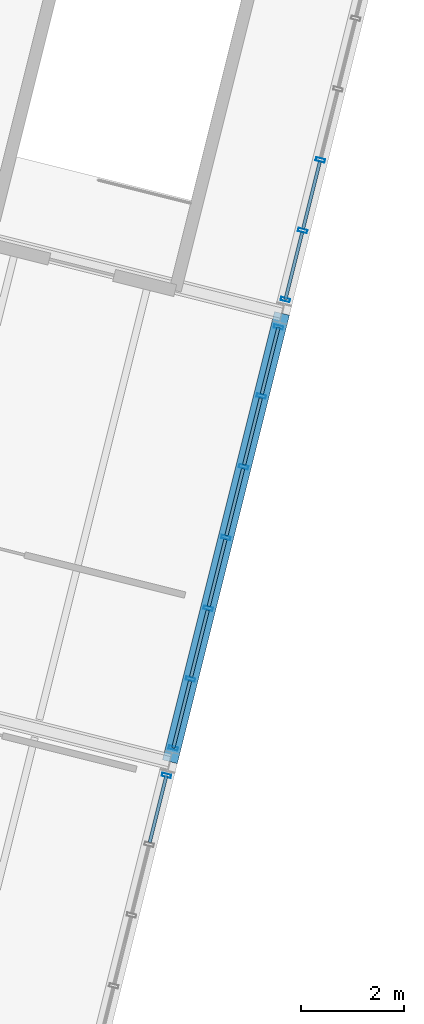
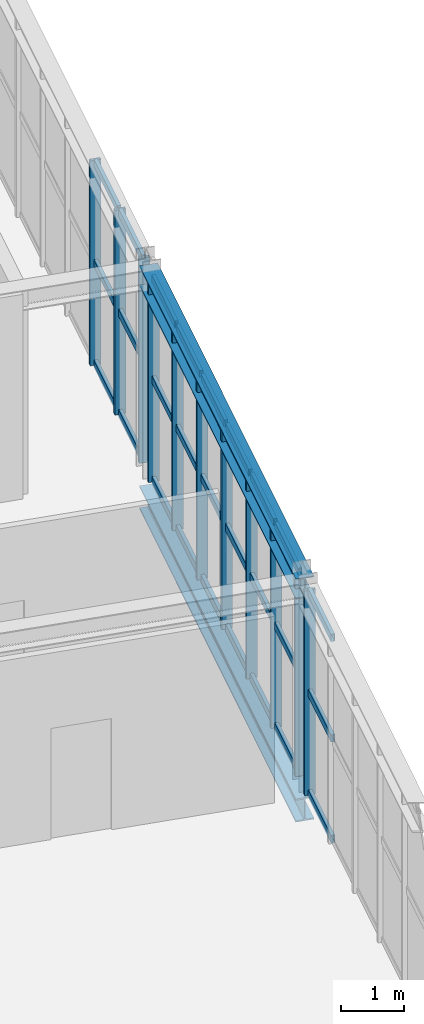
# One storey, part 19 of 30: 38 members, 2 beams, 3 elements without a shape of their own.
"""IFC4 building model written with IfcOpenShell, lengths in metres."""

from ifc_helpers import new_model, si_unit, derived_unit, direction, frame, origin, origin_2d, place, context, subcontext, project, spatial, hollow_rectangle, i_section, extrude, material, material_profile, profile_set, type_object, element, aggregate, save


model = new_model("IFC4")

# Units and contexts
model_context = context("Model", 3, precision=1e-05, world=origin(), true_north=direction((0.0, 1.0)))
body_context = subcontext(model_context, "Body", "Model", "MODEL_VIEW")
ifc_project = project(units=[si_unit("LENGTHUNIT", "METRE"), si_unit("AREAUNIT", "SQUARE_METRE"), si_unit("VOLUMEUNIT", "CUBIC_METRE"), si_unit("PLANEANGLEUNIT", "RADIAN"), si_unit("MASSUNIT", "GRAM", prefix="KILO"), si_unit("THERMODYNAMICTEMPERATUREUNIT", "KELVIN"), si_unit("TIMEUNIT", "SECOND"), derived_unit("THERMALTRANSMITTANCEUNIT", [(si_unit("MASSUNIT", "GRAM", prefix="KILO"), 1), (si_unit("THERMODYNAMICTEMPERATUREUNIT", "KELVIN"), -1), (si_unit("TIMEUNIT", "SECOND"), -3)])], contexts=[model_context])

# Site, building, storey
site_placement = place(None, origin())
site = spatial("IfcSite", under=ifc_project, at=site_placement, CompositionType="ELEMENT")
building_placement = place(site_placement, origin())
building = spatial("IfcBuilding", under=site, at=building_placement, Name="Cambertide Market Hall", CompositionType="ELEMENT")
storey_placement = place(building_placement, frame((0.0, 0.0, 14.10009765625)))
storey = spatial("IfcBuildingStorey", under=building, at=storey_placement, Name="L04", CompositionType="ELEMENT", Elevation=14.10009765625)

# Curtain wall, member
ifc_material_1 = material(Name="Marine Anodized Aluminium 6063-T6 AA25", Category="aluminium")
curtain_wall_type = type_object("IfcCurtainWallType", Name="Cooking School Classroom Curtain Wall", PredefinedType="USERDEFINED", material=ifc_material_1)
curtain_wall_1_placement = place(storey_placement, origin())
curtain_wall_1 = element("IfcCurtainWall", 1, at=curtain_wall_1_placement, inside=storey, type_object=curtain_wall_type, Name="Level 4 Curtain Wall CW-V4E-L04-1", ObjectType="UNITIZED CURTAIN WALL", PredefinedType="USERDEFINED")
ifc_material_2 = material(Name="Champagne Marine Anodized Aluminium 6063-T6 AA25", Category="aluminium")
ifc_material_profile_1 = material_profile(ifc_material_2, hollow_rectangle(XDim=0.06494140625, YDim=0.179931640625, WallThickness=0.00390625, at=origin_2d()), Name="ALU MULLION 65x180")
ifc_profile_set_1 = profile_set([ifc_material_profile_1], Name="Champagne Marine Anodized Aluminium 6063-T6 AA25")
member_type_1 = type_object("IfcMemberType", Name="Curtain Wall Mullion ALU MULLION 65x180", PredefinedType="MULLION", material=ifc_profile_set_1)
member_1_placement = place(storey_placement, frame((172.205322265625, 92.942138671875, 0.0), z_axis=(0.0, 0.0, 1.0), x_axis=(-0.242535569805, -0.970142513953, 0.0)))
member_1 = element("IfcMember", 2, at=member_1_placement, type_object=member_type_1, Name="CW-V4E-L04-1 Mullion 1", PredefinedType="MULLION", context=body_context, shape_type="SweptSolid", body=[
    extrude(hollow_rectangle(XDim=0.06494140625, YDim=0.179931640625, WallThickness=0.00390625, at=origin_2d()), origin(), (0.0, 0.0, 1.0), 3.9599609375),
])

# Curtain wall, members
curtain_wall_2_placement = place(storey_placement, origin())
curtain_wall_2 = element("IfcCurtainWall", 3, at=curtain_wall_2_placement, inside=storey, type_object=curtain_wall_type, Name="Level 4 Curtain Wall CW-V4E-L04-2", ObjectType="UNITIZED CURTAIN WALL", PredefinedType="USERDEFINED")
member_2_placement = place(storey_placement, frame((174.38818359375, 101.673583984375, 0.0), z_axis=(0.0, 0.0, 1.0), x_axis=(-0.24253568027, -0.970142486337, 0.0)))
member_2 = element("IfcMember", 4, at=member_2_placement, type_object=member_type_1, Name="CW-V4E-L04-2 Mullion 1", PredefinedType="MULLION", context=body_context, shape_type="SweptSolid", body=[
    extrude(hollow_rectangle(XDim=0.06494140625, YDim=0.179931640625, WallThickness=0.00390625, at=origin_2d()), origin(), (0.0, 0.0, 1.0), 3.9599609375),
])
member_3_placement = place(storey_placement, frame((174.05224609375, 100.329833984375, 0.0), z_axis=(0.0, 0.0, 1.0), x_axis=(-0.24253568027, -0.970142486337, 0.0)))
member_3 = element("IfcMember", 5, at=member_3_placement, type_object=member_type_1, Name="CW-V4E-L04-2 Mullion 2", PredefinedType="MULLION", context=body_context, shape_type="SweptSolid", body=[
    extrude(hollow_rectangle(XDim=0.06494140625, YDim=0.179931640625, WallThickness=0.00390625, at=origin_2d()), origin(), (0.0, 0.0, 1.0), 3.9599609375),
])
member_4_placement = place(storey_placement, frame((173.707763671875, 98.9521484375, 0.0), z_axis=(0.0, 0.0, 1.0), x_axis=(-0.24253568027, -0.970142486337, 0.0)))
member_4 = element("IfcMember", 6, at=member_4_placement, type_object=member_type_1, Name="CW-V4E-L04-2 Mullion 3", PredefinedType="MULLION", context=body_context, shape_type="SweptSolid", body=[
    extrude(hollow_rectangle(XDim=0.06494140625, YDim=0.179931640625, WallThickness=0.00390625, at=origin_2d()), origin(), (0.0, 0.0, 1.0), 3.9599609375),
])
member_5_placement = place(storey_placement, frame((173.36328125, 97.57470703125, 0.0), z_axis=(0.0, 0.0, 1.0), x_axis=(-0.24253568027, -0.970142486337, 0.0)))
member_5 = element("IfcMember", 7, at=member_5_placement, type_object=member_type_1, Name="CW-V4E-L04-2 Mullion 4", PredefinedType="MULLION", context=body_context, shape_type="SweptSolid", body=[
    extrude(hollow_rectangle(XDim=0.06494140625, YDim=0.179931640625, WallThickness=0.00390625, at=origin_2d()), origin(), (0.0, 0.0, 1.0), 3.9599609375),
])
member_6_placement = place(storey_placement, frame((173.01904296875, 96.197021484375, 0.0), z_axis=(0.0, 0.0, 1.0), x_axis=(-0.24253568027, -0.970142486337, 0.0)))
member_6 = element("IfcMember", 8, at=member_6_placement, type_object=member_type_1, Name="CW-V4E-L04-2 Mullion 5", PredefinedType="MULLION", context=body_context, shape_type="SweptSolid", body=[
    extrude(hollow_rectangle(XDim=0.06494140625, YDim=0.179931640625, WallThickness=0.00390625, at=origin_2d()), origin(), (0.0, 0.0, 1.0), 3.9599609375),
])
member_7_placement = place(storey_placement, frame((172.674560546875, 94.8193359375, 0.0), z_axis=(0.0, 0.0, 1.0), x_axis=(-0.24253568027, -0.970142486337, 0.0)))
member_7 = element("IfcMember", 9, at=member_7_placement, type_object=member_type_1, Name="CW-V4E-L04-2 Mullion 6", PredefinedType="MULLION", context=body_context, shape_type="SweptSolid", body=[
    extrude(hollow_rectangle(XDim=0.06494140625, YDim=0.179931640625, WallThickness=0.00390625, at=origin_2d()), origin(), (0.0, 0.0, 1.0), 3.9599609375),
])
member_8_placement = place(storey_placement, frame((172.338623046875, 93.475830078125, 0.0), z_axis=(0.0, 0.0, 1.0), x_axis=(-0.24253568027, -0.970142486337, 0.0)))
member_8 = element("IfcMember", 10, at=member_8_placement, type_object=member_type_1, Name="CW-V4E-L04-2 Mullion 7", PredefinedType="MULLION", context=body_context, shape_type="SweptSolid", body=[
    extrude(hollow_rectangle(XDim=0.06494140625, YDim=0.179931640625, WallThickness=0.00390625, at=origin_2d()), origin(), (0.0, 0.0, 1.0), 3.9599609375),
])

curtain_wall_3_placement = place(storey_placement, origin())
curtain_wall_3 = element("IfcCurtainWall", 11, at=curtain_wall_3_placement, inside=storey, type_object=curtain_wall_type, Name="Level 4 Curtain Wall CW-V4E-L04-3", ObjectType="UNITIZED CURTAIN WALL", PredefinedType="USERDEFINED")
member_9_placement = place(storey_placement, frame((175.20166015625, 104.92822265625, 0.0), z_axis=(0.0, 0.0, 1.0), x_axis=(-0.242535569805, -0.970142513953, 0.0)))
member_9 = element("IfcMember", 12, at=member_9_placement, type_object=member_type_1, Name="CW-V4E-L04-3 Mullion 5", PredefinedType="MULLION", context=body_context, shape_type="SweptSolid", body=[
    extrude(hollow_rectangle(XDim=0.06494140625, YDim=0.179931640625, WallThickness=0.00390625, at=origin_2d()), origin(), (0.0, 0.0, 1.0), 3.9599609375),
])
member_10_placement = place(storey_placement, frame((174.857421875, 103.55078125, 0.0), z_axis=(0.0, 0.0, 1.0), x_axis=(-0.242535569805, -0.970142513953, 0.0)))
member_10 = element("IfcMember", 13, at=member_10_placement, type_object=member_type_1, Name="CW-V4E-L04-3 Mullion 6", PredefinedType="MULLION", context=body_context, shape_type="SweptSolid", body=[
    extrude(hollow_rectangle(XDim=0.06494140625, YDim=0.179931640625, WallThickness=0.00390625, at=origin_2d()), origin(), (0.0, 0.0, 1.0), 3.9599609375),
])
member_11_placement = place(storey_placement, frame((174.521484375, 102.20703125, 0.0), z_axis=(0.0, 0.0, 1.0), x_axis=(-0.242535569805, -0.970142513953, 0.0)))
member_11 = element("IfcMember", 14, at=member_11_placement, type_object=member_type_1, Name="CW-V4E-L04-3 Mullion 7", PredefinedType="MULLION", context=body_context, shape_type="SweptSolid", body=[
    extrude(hollow_rectangle(XDim=0.06494140625, YDim=0.179931640625, WallThickness=0.00390625, at=origin_2d()), origin(), (0.0, 0.0, 1.0), 3.9599609375),
])

# Member
ifc_material_3 = material(Name="Champagne Marine Anodized Aluminium 6063-T6 AA25", Category="aluminium")
ifc_material_profile_2 = material_profile(ifc_material_3, hollow_rectangle(XDim=0.06494140625, YDim=0.139892578125, WallThickness=0.00341796875, at=origin_2d()), Name="ALU TRANSOM 65x140")
ifc_profile_set_2 = profile_set([ifc_material_profile_2], Name="Champagne Marine Anodized Aluminium 6063-T6 AA25")
member_type_2 = type_object("IfcMemberType", Name="Curtain Wall Transom ALU TRANSOM 65x140", PredefinedType="USERDEFINED", material=ifc_profile_set_2)
member_12_placement = place(storey_placement, frame((172.2041015625, 92.937255859375, 0.034912109375), z_axis=(-0.242535625036, -0.970142500145, 0.0), x_axis=(0.970142500145, -0.242535625036, 0.0)))
member_12 = element("IfcMember", 15, at=member_12_placement, type_object=member_type_2, Name="CW-V4E-L04-1 Transom 1-1", ObjectType="TRANSOM", PredefinedType="USERDEFINED", context=body_context, shape_type="SweptSolid", body=[
    extrude(hollow_rectangle(XDim=0.06494140625, YDim=0.139892578125, WallThickness=0.00341796875, at=origin_2d()), origin(), (0.0, 0.0, 1.0), 1.33984375),
])

member_13_placement = place(storey_placement, frame((172.2041015625, 92.937255859375, 1.97998046875), z_axis=(-0.242535625036, -0.970142500145, 0.0), x_axis=(0.970142500145, -0.242535625036, 0.0)))
member_13 = element("IfcMember", 16, at=member_13_placement, type_object=member_type_2, Name="CW-V4E-L04-1 Transom 2-1", ObjectType="TRANSOM", PredefinedType="USERDEFINED", context=body_context, shape_type="SweptSolid", body=[
    extrude(hollow_rectangle(XDim=0.06494140625, YDim=0.139892578125, WallThickness=0.00341796875, at=origin_2d()), origin(), (0.0, 0.0, 1.0), 1.33984375),
])

member_14_placement = place(storey_placement, frame((172.2041015625, 92.937255859375, 3.9248046875), z_axis=(-0.242535625036, -0.970142500145, 0.0), x_axis=(0.970142500145, -0.242535625036, 0.0)))
member_14 = element("IfcMember", 17, at=member_14_placement, type_object=member_type_2, Name="CW-V4E-L04-1 Transom 3-1", ObjectType="TRANSOM", PredefinedType="USERDEFINED", context=body_context, shape_type="SweptSolid", body=[
    extrude(hollow_rectangle(XDim=0.06494140625, YDim=0.139892578125, WallThickness=0.00341796875, at=origin_2d()), origin(), (0.0, 0.0, 1.0), 1.33984375),
])

aggregate(curtain_wall_1, [member_1, member_12, member_13, member_14])

member_15_placement = place(storey_placement, frame((174.386962890625, 101.668701171875, 0.034912109375), z_axis=(-0.242664220797, -0.970110342149, 0.0), x_axis=(0.970110342149, -0.242664220797, 0.0)))
member_15 = element("IfcMember", 18, at=member_15_placement, type_object=member_type_2, Name="CW-V4E-L04-2 Transom 1-1", ObjectType="TRANSOM", PredefinedType="USERDEFINED", context=body_context, shape_type="SweptSolid", body=[
    extrude(hollow_rectangle(XDim=0.06494140625, YDim=0.139892578125, WallThickness=0.00341796875, at=origin_2d()), origin(), (0.0, 0.0, 1.0), 1.340087890625),
])

member_16_placement = place(storey_placement, frame((174.04248046875, 100.291015625, 0.034912109375), z_axis=(-0.242492756941, -0.970153216163, 0.0), x_axis=(0.970153216163, -0.242492756941, 0.0)))
member_16 = element("IfcMember", 19, at=member_16_placement, type_object=member_type_2, Name="CW-V4E-L04-2 Transom 1-2", ObjectType="TRANSOM", PredefinedType="USERDEFINED", context=body_context, shape_type="SweptSolid", body=[
    extrude(hollow_rectangle(XDim=0.06494140625, YDim=0.139892578125, WallThickness=0.00341796875, at=origin_2d()), origin(), (0.0, 0.0, 1.0), 1.340087890625),
])

member_17_placement = place(storey_placement, frame((173.697998046875, 98.913330078125, 0.034912109375), z_axis=(-0.242535625036, -0.970142500145, 0.0), x_axis=(0.970142500145, -0.242535625036, 0.0)))
member_17 = element("IfcMember", 20, at=member_17_placement, type_object=member_type_2, Name="CW-V4E-L04-2 Transom 1-3", ObjectType="TRANSOM", PredefinedType="USERDEFINED", context=body_context, shape_type="SweptSolid", body=[
    extrude(hollow_rectangle(XDim=0.06494140625, YDim=0.139892578125, WallThickness=0.00341796875, at=origin_2d()), origin(), (0.0, 0.0, 1.0), 1.33984375),
])

member_18_placement = place(storey_placement, frame((173.353759765625, 97.535888671875, 0.034912109375), z_axis=(-0.242664220797, -0.970110342149, 0.0), x_axis=(0.970110342149, -0.242664220797, 0.0)))
member_18 = element("IfcMember", 21, at=member_18_placement, type_object=member_type_2, Name="CW-V4E-L04-2 Transom 1-4", ObjectType="TRANSOM", PredefinedType="USERDEFINED", context=body_context, shape_type="SweptSolid", body=[
    extrude(hollow_rectangle(XDim=0.06494140625, YDim=0.139892578125, WallThickness=0.00341796875, at=origin_2d()), origin(), (0.0, 0.0, 1.0), 1.340087890625),
])

member_19_placement = place(storey_placement, frame((173.00927734375, 96.158203125, 0.034912109375), z_axis=(-0.242492756941, -0.970153216163, 0.0), x_axis=(0.970153216163, -0.242492756941, 0.0)))
member_19 = element("IfcMember", 22, at=member_19_placement, type_object=member_type_2, Name="CW-V4E-L04-2 Transom 1-5", ObjectType="TRANSOM", PredefinedType="USERDEFINED", context=body_context, shape_type="SweptSolid", body=[
    extrude(hollow_rectangle(XDim=0.06494140625, YDim=0.139892578125, WallThickness=0.00341796875, at=origin_2d()), origin(), (0.0, 0.0, 1.0), 1.340087890625),
])

member_20_placement = place(storey_placement, frame((172.664794921875, 94.780517578125, 0.034912109375), z_axis=(-0.242535625036, -0.970142500145, 0.0), x_axis=(0.970142500145, -0.242535625036, 0.0)))
member_20 = element("IfcMember", 23, at=member_20_placement, type_object=member_type_2, Name="CW-V4E-L04-2 Transom 1-6", ObjectType="TRANSOM", PredefinedType="USERDEFINED", context=body_context, shape_type="SweptSolid", body=[
    extrude(hollow_rectangle(XDim=0.06494140625, YDim=0.139892578125, WallThickness=0.00341796875, at=origin_2d()), origin(), (0.0, 0.0, 1.0), 1.33984375),
])

member_21_placement = place(storey_placement, frame((174.386962890625, 101.668701171875, 1.97998046875), z_axis=(-0.242664220797, -0.970110342149, 0.0), x_axis=(0.970110342149, -0.242664220797, 0.0)))
member_21 = element("IfcMember", 24, at=member_21_placement, type_object=member_type_2, Name="CW-V4E-L04-2 Transom 2-1", ObjectType="TRANSOM", PredefinedType="USERDEFINED", context=body_context, shape_type="SweptSolid", body=[
    extrude(hollow_rectangle(XDim=0.06494140625, YDim=0.139892578125, WallThickness=0.00341796875, at=origin_2d()), origin(), (0.0, 0.0, 1.0), 1.340087890625),
])

member_22_placement = place(storey_placement, frame((174.04248046875, 100.291015625, 1.97998046875), z_axis=(-0.242492756941, -0.970153216163, 0.0), x_axis=(0.970153216163, -0.242492756941, 0.0)))
member_22 = element("IfcMember", 25, at=member_22_placement, type_object=member_type_2, Name="CW-V4E-L04-2 Transom 2-2", ObjectType="TRANSOM", PredefinedType="USERDEFINED", context=body_context, shape_type="SweptSolid", body=[
    extrude(hollow_rectangle(XDim=0.06494140625, YDim=0.139892578125, WallThickness=0.00341796875, at=origin_2d()), origin(), (0.0, 0.0, 1.0), 1.340087890625),
])

member_23_placement = place(storey_placement, frame((173.697998046875, 98.913330078125, 1.97998046875), z_axis=(-0.242535625036, -0.970142500145, 0.0), x_axis=(0.970142500145, -0.242535625036, 0.0)))
member_23 = element("IfcMember", 26, at=member_23_placement, type_object=member_type_2, Name="CW-V4E-L04-2 Transom 2-3", ObjectType="TRANSOM", PredefinedType="USERDEFINED", context=body_context, shape_type="SweptSolid", body=[
    extrude(hollow_rectangle(XDim=0.06494140625, YDim=0.139892578125, WallThickness=0.00341796875, at=origin_2d()), origin(), (0.0, 0.0, 1.0), 1.33984375),
])

member_24_placement = place(storey_placement, frame((173.353759765625, 97.535888671875, 1.97998046875), z_axis=(-0.242664220797, -0.970110342149, 0.0), x_axis=(0.970110342149, -0.242664220797, 0.0)))
member_24 = element("IfcMember", 27, at=member_24_placement, type_object=member_type_2, Name="CW-V4E-L04-2 Transom 2-4", ObjectType="TRANSOM", PredefinedType="USERDEFINED", context=body_context, shape_type="SweptSolid", body=[
    extrude(hollow_rectangle(XDim=0.06494140625, YDim=0.139892578125, WallThickness=0.00341796875, at=origin_2d()), origin(), (0.0, 0.0, 1.0), 1.340087890625),
])

member_25_placement = place(storey_placement, frame((173.00927734375, 96.158203125, 1.97998046875), z_axis=(-0.242492756941, -0.970153216163, 0.0), x_axis=(0.970153216163, -0.242492756941, 0.0)))
member_25 = element("IfcMember", 28, at=member_25_placement, type_object=member_type_2, Name="CW-V4E-L04-2 Transom 2-5", ObjectType="TRANSOM", PredefinedType="USERDEFINED", context=body_context, shape_type="SweptSolid", body=[
    extrude(hollow_rectangle(XDim=0.06494140625, YDim=0.139892578125, WallThickness=0.00341796875, at=origin_2d()), origin(), (0.0, 0.0, 1.0), 1.340087890625),
])

member_26_placement = place(storey_placement, frame((172.664794921875, 94.780517578125, 1.97998046875), z_axis=(-0.242535625036, -0.970142500145, 0.0), x_axis=(0.970142500145, -0.242535625036, 0.0)))
member_26 = element("IfcMember", 29, at=member_26_placement, type_object=member_type_2, Name="CW-V4E-L04-2 Transom 2-6", ObjectType="TRANSOM", PredefinedType="USERDEFINED", context=body_context, shape_type="SweptSolid", body=[
    extrude(hollow_rectangle(XDim=0.06494140625, YDim=0.139892578125, WallThickness=0.00341796875, at=origin_2d()), origin(), (0.0, 0.0, 1.0), 1.33984375),
])

member_27_placement = place(storey_placement, frame((174.386962890625, 101.668701171875, 3.9248046875), z_axis=(-0.242664220797, -0.970110342149, 0.0), x_axis=(0.970110342149, -0.242664220797, 0.0)))
member_27 = element("IfcMember", 30, at=member_27_placement, type_object=member_type_2, Name="CW-V4E-L04-2 Transom 3-1", ObjectType="TRANSOM", PredefinedType="USERDEFINED", context=body_context, shape_type="SweptSolid", body=[
    extrude(hollow_rectangle(XDim=0.06494140625, YDim=0.139892578125, WallThickness=0.00341796875, at=origin_2d()), origin(), (0.0, 0.0, 1.0), 1.340087890625),
])

member_28_placement = place(storey_placement, frame((174.04248046875, 100.291015625, 3.9248046875), z_axis=(-0.242492756941, -0.970153216163, 0.0), x_axis=(0.970153216163, -0.242492756941, 0.0)))
member_28 = element("IfcMember", 31, at=member_28_placement, type_object=member_type_2, Name="CW-V4E-L04-2 Transom 3-2", ObjectType="TRANSOM", PredefinedType="USERDEFINED", context=body_context, shape_type="SweptSolid", body=[
    extrude(hollow_rectangle(XDim=0.06494140625, YDim=0.139892578125, WallThickness=0.00341796875, at=origin_2d()), origin(), (0.0, 0.0, 1.0), 1.340087890625),
])

member_29_placement = place(storey_placement, frame((173.697998046875, 98.913330078125, 3.9248046875), z_axis=(-0.242535625036, -0.970142500145, 0.0), x_axis=(0.970142500145, -0.242535625036, 0.0)))
member_29 = element("IfcMember", 32, at=member_29_placement, type_object=member_type_2, Name="CW-V4E-L04-2 Transom 3-3", ObjectType="TRANSOM", PredefinedType="USERDEFINED", context=body_context, shape_type="SweptSolid", body=[
    extrude(hollow_rectangle(XDim=0.06494140625, YDim=0.139892578125, WallThickness=0.00341796875, at=origin_2d()), origin(), (0.0, 0.0, 1.0), 1.33984375),
])

member_30_placement = place(storey_placement, frame((173.353759765625, 97.535888671875, 3.9248046875), z_axis=(-0.242664220797, -0.970110342149, 0.0), x_axis=(0.970110342149, -0.242664220797, 0.0)))
member_30 = element("IfcMember", 33, at=member_30_placement, type_object=member_type_2, Name="CW-V4E-L04-2 Transom 3-4", ObjectType="TRANSOM", PredefinedType="USERDEFINED", context=body_context, shape_type="SweptSolid", body=[
    extrude(hollow_rectangle(XDim=0.06494140625, YDim=0.139892578125, WallThickness=0.00341796875, at=origin_2d()), origin(), (0.0, 0.0, 1.0), 1.340087890625),
])

member_31_placement = place(storey_placement, frame((173.00927734375, 96.158203125, 3.9248046875), z_axis=(-0.242492756941, -0.970153216163, 0.0), x_axis=(0.970153216163, -0.242492756941, 0.0)))
member_31 = element("IfcMember", 34, at=member_31_placement, type_object=member_type_2, Name="CW-V4E-L04-2 Transom 3-5", ObjectType="TRANSOM", PredefinedType="USERDEFINED", context=body_context, shape_type="SweptSolid", body=[
    extrude(hollow_rectangle(XDim=0.06494140625, YDim=0.139892578125, WallThickness=0.00341796875, at=origin_2d()), origin(), (0.0, 0.0, 1.0), 1.340087890625),
])

member_32_placement = place(storey_placement, frame((172.664794921875, 94.780517578125, 3.9248046875), z_axis=(-0.242535625036, -0.970142500145, 0.0), x_axis=(0.970142500145, -0.242535625036, 0.0)))
member_32 = element("IfcMember", 35, at=member_32_placement, type_object=member_type_2, Name="CW-V4E-L04-2 Transom 3-6", ObjectType="TRANSOM", PredefinedType="USERDEFINED", context=body_context, shape_type="SweptSolid", body=[
    extrude(hollow_rectangle(XDim=0.06494140625, YDim=0.139892578125, WallThickness=0.00341796875, at=origin_2d()), origin(), (0.0, 0.0, 1.0), 1.33984375),
])

aggregate(curtain_wall_2, [member_2, member_3, member_4, member_5, member_6, member_7, member_8, member_15, member_16, member_17, member_18, member_19, member_20, member_21, member_22, member_23, member_24, member_25, member_26, member_27, member_28, member_29, member_30, member_31, member_32])

member_33_placement = place(storey_placement, frame((175.192138671875, 104.889404296875, 0.034912109375), z_axis=(-0.242535625036, -0.970142500145, 0.0), x_axis=(0.970142500145, -0.242535625036, 0.0)))
member_33 = element("IfcMember", 36, at=member_33_placement, type_object=member_type_2, Name="CW-V4E-L04-3 Transom 1-5", ObjectType="TRANSOM", PredefinedType="USERDEFINED", context=body_context, shape_type="SweptSolid", body=[
    extrude(hollow_rectangle(XDim=0.06494140625, YDim=0.139892578125, WallThickness=0.00341796875, at=origin_2d()), origin(), (0.0, 0.0, 1.0), 1.33984375),
])

member_34_placement = place(storey_placement, frame((174.84765625, 103.511962890625, 0.034912109375), z_axis=(-0.242492756941, -0.970153216163, 0.0), x_axis=(0.970153216163, -0.242492756941, 0.0)))
member_34 = element("IfcMember", 37, at=member_34_placement, type_object=member_type_2, Name="CW-V4E-L04-3 Transom 1-6", ObjectType="TRANSOM", PredefinedType="USERDEFINED", context=body_context, shape_type="SweptSolid", body=[
    extrude(hollow_rectangle(XDim=0.06494140625, YDim=0.139892578125, WallThickness=0.00341796875, at=origin_2d()), origin(), (0.0, 0.0, 1.0), 1.340087890625),
])

member_35_placement = place(storey_placement, frame((175.192138671875, 104.889404296875, 1.97998046875), z_axis=(-0.242535625036, -0.970142500145, 0.0), x_axis=(0.970142500145, -0.242535625036, 0.0)))
member_35 = element("IfcMember", 38, at=member_35_placement, type_object=member_type_2, Name="CW-V4E-L04-3 Transom 2-5", ObjectType="TRANSOM", PredefinedType="USERDEFINED", context=body_context, shape_type="SweptSolid", body=[
    extrude(hollow_rectangle(XDim=0.06494140625, YDim=0.139892578125, WallThickness=0.00341796875, at=origin_2d()), origin(), (0.0, 0.0, 1.0), 1.33984375),
])

member_36_placement = place(storey_placement, frame((174.84765625, 103.511962890625, 1.97998046875), z_axis=(-0.242492756941, -0.970153216163, 0.0), x_axis=(0.970153216163, -0.242492756941, 0.0)))
member_36 = element("IfcMember", 39, at=member_36_placement, type_object=member_type_2, Name="CW-V4E-L04-3 Transom 2-6", ObjectType="TRANSOM", PredefinedType="USERDEFINED", context=body_context, shape_type="SweptSolid", body=[
    extrude(hollow_rectangle(XDim=0.06494140625, YDim=0.139892578125, WallThickness=0.00341796875, at=origin_2d()), origin(), (0.0, 0.0, 1.0), 1.340087890625),
])

member_37_placement = place(storey_placement, frame((175.192138671875, 104.889404296875, 3.9248046875), z_axis=(-0.242535625036, -0.970142500145, 0.0), x_axis=(0.970142500145, -0.242535625036, 0.0)))
member_37 = element("IfcMember", 40, at=member_37_placement, type_object=member_type_2, Name="CW-V4E-L04-3 Transom 3-5", ObjectType="TRANSOM", PredefinedType="USERDEFINED", context=body_context, shape_type="SweptSolid", body=[
    extrude(hollow_rectangle(XDim=0.06494140625, YDim=0.139892578125, WallThickness=0.00341796875, at=origin_2d()), origin(), (0.0, 0.0, 1.0), 1.33984375),
])

member_38_placement = place(storey_placement, frame((174.84765625, 103.511962890625, 3.9248046875), z_axis=(-0.242492756941, -0.970153216163, 0.0), x_axis=(0.970153216163, -0.242492756941, 0.0)))
member_38 = element("IfcMember", 41, at=member_38_placement, type_object=member_type_2, Name="CW-V4E-L04-3 Transom 3-6", ObjectType="TRANSOM", PredefinedType="USERDEFINED", context=body_context, shape_type="SweptSolid", body=[
    extrude(hollow_rectangle(XDim=0.06494140625, YDim=0.139892578125, WallThickness=0.00341796875, at=origin_2d()), origin(), (0.0, 0.0, 1.0), 1.340087890625),
])

aggregate(curtain_wall_3, [member_9, member_10, member_11, member_33, member_34, member_35, member_36, member_37, member_38])

# Beams
ifc_material_4 = material(Name="Steel S355", Category="steel")
ifc_material_profile_3 = material_profile(ifc_material_4, i_section(OverallWidth=0.300048828125, OverallDepth=0.389892578125, WebThickness=0.010986328125, FlangeThickness=0.01904296875, FilletRadius=0.027099609375, at=origin_2d()), Name="HEA 400")
ifc_profile_set_3 = profile_set([ifc_material_profile_3], Name="Steel S355")
beam_type_1 = type_object("IfcBeamType", Name="Exterior Steel Girder HEA 400", PredefinedType="BEAM", material=ifc_profile_set_3)
beam_1_placement = place(storey_placement, frame((172.27197265625, 93.208984375, 3.804931640625), z_axis=(0.242542007841, 0.970140904422, 0.0), x_axis=(-0.970140904422, 0.242542007841, 0.0)))
element("IfcBeam", 42, at=beam_1_placement, inside=storey, type_object=beam_type_1, Name="Level 4 Beam BM-V4V-RF-9-2", PredefinedType="BEAM", context=body_context, shape_type="SweptSolid", body=[
    extrude(i_section(OverallWidth=0.300048828125, OverallDepth=0.389892578125, WebThickness=0.010986328125, FlangeThickness=0.01904296875, FilletRadius=0.027099609375, at=origin_2d()), origin(), (0.0, 0.0, 1.0), 9.0),
])
ifc_material_5 = material(Name="Steel S355", Category="steel")
ifc_material_profile_4 = material_profile(ifc_material_5, i_section(OverallWidth=0.300048828125, OverallDepth=0.449951171875, WebThickness=0.013916015625, FlangeThickness=0.02587890625, FilletRadius=0.027099609375, at=origin_2d()), Name="HEB 450")
ifc_profile_set_4 = profile_set([ifc_material_profile_4], Name="Steel S355")
beam_type_2 = type_object("IfcBeamType", Name="Steel Girder HEB 450", PredefinedType="BEAM", material=ifc_profile_set_4)
beam_2_placement = place(storey_placement, frame((172.27197265625, 93.208984375, -0.47998046875), z_axis=(0.242542007841, 0.970140904422, 0.0), x_axis=(-0.970140904422, 0.242542007841, 0.0)))
element("IfcBeam", 43, at=beam_2_placement, inside=storey, type_object=beam_type_2, Name="Level 4 Beam BM-V4V-L04-9-2", PredefinedType="BEAM", context=body_context, shape_type="SweptSolid", body=[
    extrude(i_section(OverallWidth=0.300048828125, OverallDepth=0.449951171875, WebThickness=0.013916015625, FlangeThickness=0.02587890625, FilletRadius=0.027099609375, at=origin_2d()), origin(), (0.0, 0.0, 1.0), 9.0),
])

save(model, "model.ifc")
